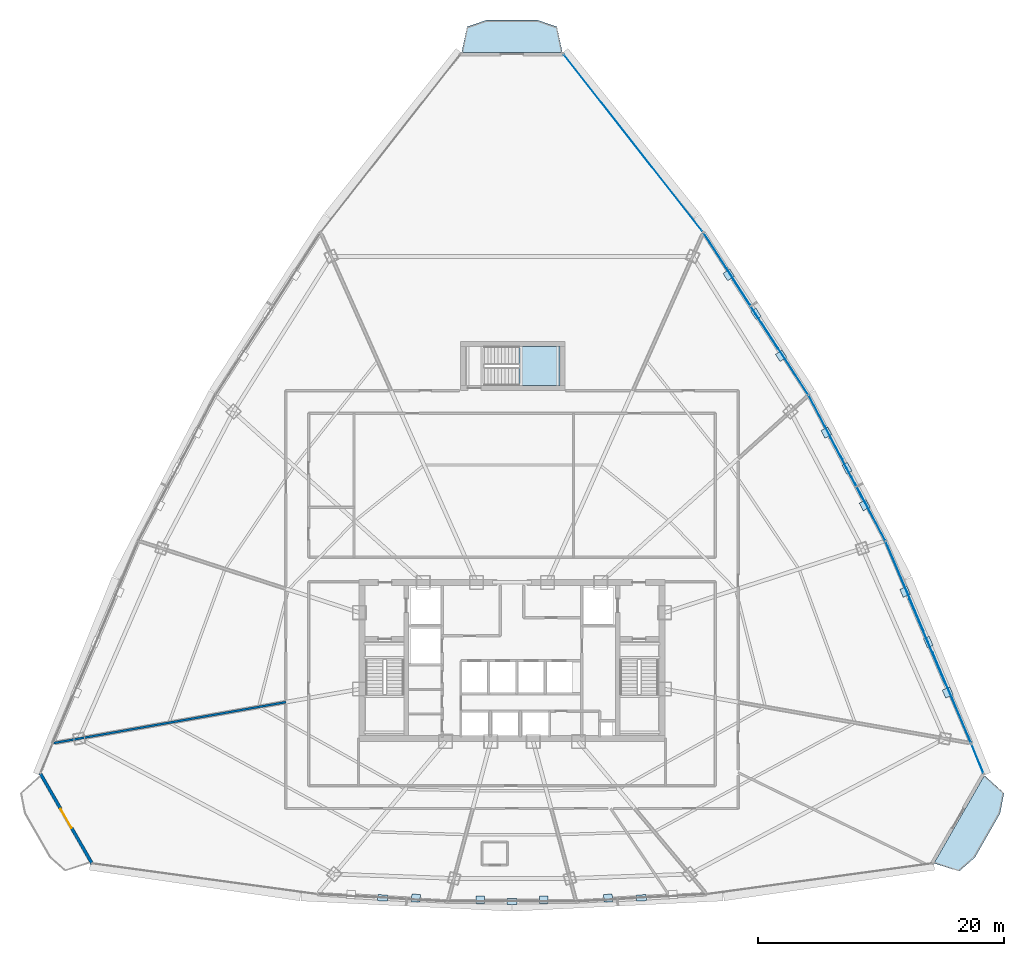
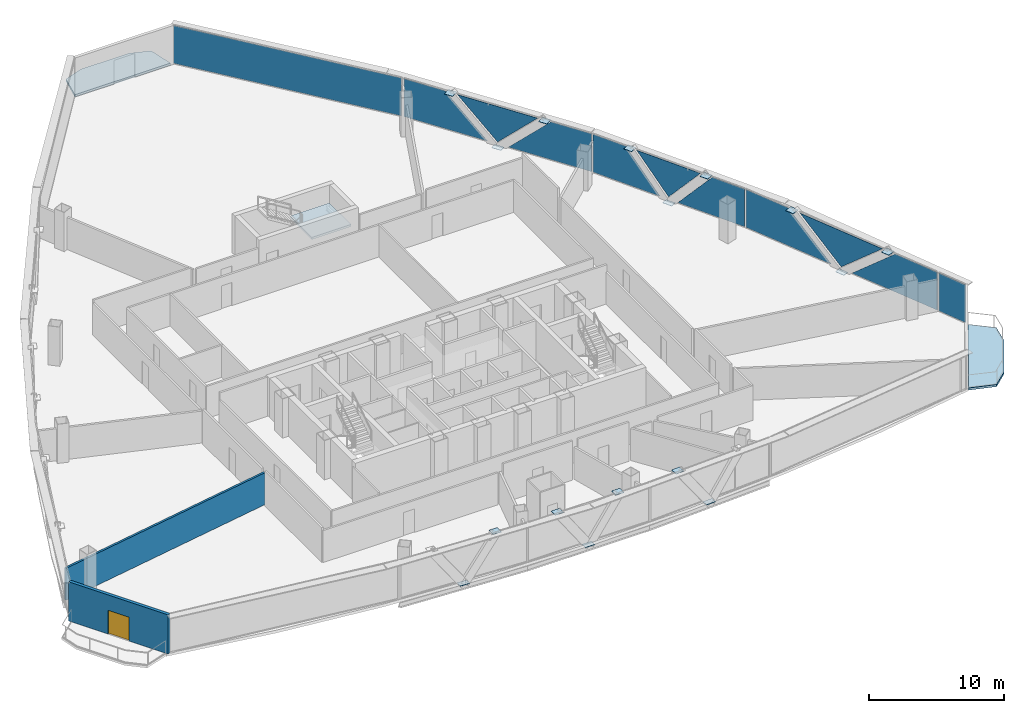
# One storey, part 29 of 37: 27 plates, 3 slabs, 2 walls, 1 door, 1 opening, 6 elements without a shape of their own.
"""IFC4 building model written with IfcOpenShell, lengths in metres."""

from ifc_helpers import new_model, si_unit, direction, frame, frame_2d, origin, origin_with_axes, origin_2d, place, context, subcontext, project, spatial, polyline, rectangle, outline, extrude, source, transform, mapped, material, layer, layer_set, type_object, element, fill, aggregate, save


model = new_model("IFC4")

# Units and contexts
model_context = context("Model", 3, precision=1e-05, world=origin(), true_north=direction((0.0, 1.0)))
body_context = subcontext(model_context, "Body", "Model", "MODEL_VIEW")
ifc_project = project(units=[si_unit("LENGTHUNIT", "METRE"), si_unit("AREAUNIT", "SQUARE_METRE"), si_unit("VOLUMEUNIT", "CUBIC_METRE"), si_unit("PLANEANGLEUNIT", "RADIAN"), si_unit("MASSUNIT", "GRAM", prefix="KILO"), si_unit("THERMODYNAMICTEMPERATUREUNIT", "KELVIN"), si_unit("POWERUNIT", "WATT")], contexts=[model_context])

# Site, building, storey
site_placement = place(None, origin())
site = spatial("IfcSite", under=ifc_project, at=site_placement, CompositionType="ELEMENT")
building_placement = place(site_placement, origin())
building = spatial("IfcBuilding", under=site, at=building_placement, Name="Yunzhuo Pagoda Commons", CompositionType="ELEMENT")
storey_placement = place(building_placement, frame((0.0, 0.0, 199.9599609375)))
storey = spatial("IfcBuildingStorey", under=building, at=storey_placement, Name="L50", CompositionType="ELEMENT", Elevation=199.9599609375)

# Curtain wall, plates
ifc_material_1 = material(Name="Anodized aluminium 6063-T6", Category="aluminium")
ifc_layer_1 = layer(ifc_material_1, 0.14990234375)
ifc_layer_set_1 = layer_set([ifc_layer_1], Name="Anodized aluminium 6063-T6")
curtain_wall_type = type_object("IfcCurtainWallType", Name="CW-MID Mid-Zone Ribbon Curtain Wall", PredefinedType="NOTDEFINED", material=ifc_layer_set_1)
curtain_wall_1_placement = place(storey_placement, origin())
curtain_wall_1 = element("IfcCurtainWall", 1, at=curtain_wall_1_placement, inside=storey, type_object=curtain_wall_type, Name="L50 curtain wall CW-L50-F2B2", PredefinedType="NOTDEFINED")
ifc_material_2 = material(Name="Tempered low-e double glazing", Category="glass")
ifc_layer_2 = layer(ifc_material_2, 0.028076171875)
ifc_layer_set_2 = layer_set([ifc_layer_2], Name="Tempered low-e double glazing")
plate_type_1 = type_object("IfcPlateType", Name="CW-MID-P Low-E Double Glazing 28", PredefinedType="CURTAIN_PANEL", material=ifc_layer_set_2)
plate_1_placement = place(storey_placement, frame((83.771240234375, 30.809326171875, 1.77001953125), z_axis=(0.920666607247, 0.390349840912, 0.0), x_axis=(-0.390349840912, 0.920666607247, 0.0)))
plate_1 = element("IfcPlate", 2, at=plate_1_placement, type_object=plate_type_1, Name="CW panel 1.1 lite 1", PredefinedType="CURTAIN_PANEL", context=body_context, shape_type="SweptSolid", body=[
    extrude(outline(polyline([(-3.9599609375, -1.715087890625), (3.960205078125, -1.715087890625), (-0.0732421875, 1.715087890625), (-3.9599609375, 1.715087890625), (-3.9599609375, -1.715087890625)])), origin(), (0.0, 0.0, 1.0), 0.028076171875),
])
plate_2_placement = place(storey_placement, frame((81.82421875, 35.32470703125, 1.862060546875), z_axis=(0.920666607247, 0.390349840912, 0.0), x_axis=(-0.390349840912, 0.920666607247, 0.0)))
plate_2 = element("IfcPlate", 3, at=plate_2_placement, type_object=plate_type_1, Name="CW panel 1.1 lite 2", PredefinedType="CURTAIN_PANEL", context=body_context, shape_type="SweptSolid", body=[
    extrude(outline(polyline([(-3.8173828125, 1.623046875), (0.0, -1.623046875), (3.8173828125, 1.623046875), (-3.8173828125, 1.623046875)])), origin(), (0.0, 0.0, 1.0), 0.028076171875),
])
plate_3_placement = place(storey_placement, frame((79.932373046875, 39.86328125, 1.77001953125), z_axis=(0.920666607247, 0.390349840912, 0.0), x_axis=(-0.390349840912, 0.920666607247, 0.0)))
plate_3 = element("IfcPlate", 4, at=plate_3_placement, type_object=plate_type_1, Name="CW panel 1.1 lite 3", PredefinedType="CURTAIN_PANEL", context=body_context, shape_type="SweptSolid", body=[
    extrude(outline(polyline([(-3.960205078125, -1.715087890625), (3.9599609375, -1.715087890625), (3.9599609375, 1.715087890625), (0.073486328125, 1.715087890625), (-3.960205078125, -1.715087890625)])), origin(), (0.0, 0.0, 1.0), 0.028076171875),
])
aggregate(curtain_wall_1, [plate_1, plate_2, plate_3])

curtain_wall_2_placement = place(storey_placement, origin())
curtain_wall_2 = element("IfcCurtainWall", 5, at=curtain_wall_2_placement, inside=storey, type_object=curtain_wall_type, Name="L50 curtain wall CW-L50-F2B3", PredefinedType="NOTDEFINED")
plate_4_placement = place(storey_placement, frame((76.9697265625, 46.205810546875, 1.77001953125), z_axis=(0.884483826433, 0.466570852903, 0.0), x_axis=(-0.466570852903, 0.884483826433, 0.0)))
plate_4 = element("IfcPlate", 6, at=plate_4_placement, type_object=plate_type_1, Name="CW panel 1.1 lite 1", PredefinedType="CURTAIN_PANEL", context=body_context, shape_type="SweptSolid", body=[
    extrude(outline(polyline([(-2.927734375, -1.715087890625), (2.927734375, -1.715087890625), (-0.095947265625, 1.715087890625), (-2.927734375, 1.715087890625), (-2.927734375, -1.715087890625)])), origin(), (0.0, 0.0, 1.0), 0.028076171875),
])
plate_5_placement = place(storey_placement, frame((75.211181640625, 49.47509765625, 1.89990234375), z_axis=(0.884483826433, 0.466570852903, 0.0), x_axis=(-0.466570852903, 0.884483826433, 0.0)))
plate_5 = element("IfcPlate", 7, at=plate_5_placement, type_object=plate_type_1, Name="CW panel 1.1 lite 2", PredefinedType="CURTAIN_PANEL", context=body_context, shape_type="SweptSolid", body=[
    extrude(outline(polyline([(-2.794921875, 1.585205078125), (0.0, -1.585205078125), (2.794921875, 1.585205078125), (-2.794921875, 1.585205078125)])), origin(), (0.0, 0.0, 1.0), 0.028076171875),
])
plate_6_placement = place(storey_placement, frame((73.505859375, 52.772216796875, 1.77001953125), z_axis=(0.884483826433, 0.466570852903, 0.0), x_axis=(-0.466570852903, 0.884483826433, 0.0)))
plate_6 = element("IfcPlate", 8, at=plate_6_placement, type_object=plate_type_1, Name="CW panel 1.1 lite 3", PredefinedType="CURTAIN_PANEL", context=body_context, shape_type="SweptSolid", body=[
    extrude(outline(polyline([(-2.927734375, -1.715087890625), (2.927734375, -1.715087890625), (2.927734375, 1.715087890625), (0.095947265625, 1.715087890625), (-2.927734375, -1.715087890625)])), origin(), (0.0, 0.0, 1.0), 0.028076171875),
])
aggregate(curtain_wall_2, [plate_4, plate_5, plate_6])

curtain_wall_3_placement = place(storey_placement, origin())
curtain_wall_3 = element("IfcCurtainWall", 9, at=curtain_wall_3_placement, inside=storey, type_object=curtain_wall_type, Name="L50 curtain wall CW-L50-F2B4", PredefinedType="NOTDEFINED")
plate_7_placement = place(storey_placement, frame((70.19384765625, 58.3818359375, 1.77001953125), z_axis=(0.839794048542, 0.542905107761, 0.0), x_axis=(-0.542905107761, 0.839794048542, 0.0)))
plate_7 = element("IfcPlate", 10, at=plate_7_placement, type_object=plate_type_1, Name="CW panel 1.1 lite 1", PredefinedType="CURTAIN_PANEL", context=body_context, shape_type="SweptSolid", body=[
    extrude(outline(polyline([(-3.47412109375, -1.715087890625), (3.47412109375, -1.715087890625), (-0.083251953125, 1.715087890625), (-3.47412109375, 1.715087890625), (-3.47412109375, -1.715087890625)])), origin(), (0.0, 0.0, 1.0), 0.028076171875),
])
plate_8_placement = place(storey_placement, frame((67.807861328125, 62.017333984375, 1.87646484375), z_axis=(0.839794048542, 0.542905107761, 0.0), x_axis=(-0.542905107761, 0.839794048542, 0.0)))
plate_8 = element("IfcPlate", 11, at=plate_8_placement, type_object=plate_type_1, Name="CW panel 1.1 lite 2", PredefinedType="CURTAIN_PANEL", context=body_context, shape_type="SweptSolid", body=[
    extrude(outline(polyline([(-3.336669921875, 1.6083984375), (0.0, -1.608642578125), (3.336669921875, 1.6083984375), (-3.336669921875, 1.6083984375)])), origin(), (0.0, 0.0, 1.0), 0.028076171875),
])
plate_9_placement = place(storey_placement, frame((65.472412109375, 65.685302734375, 1.77001953125), z_axis=(0.839794048542, 0.542905107761, 0.0), x_axis=(-0.542905107761, 0.839794048542, 0.0)))
plate_9 = element("IfcPlate", 12, at=plate_9_placement, type_object=plate_type_1, Name="CW panel 1.1 lite 3", PredefinedType="CURTAIN_PANEL", context=body_context, shape_type="SweptSolid", body=[
    extrude(outline(polyline([(-3.47412109375, -1.715087890625), (3.47412109375, -1.715087890625), (3.47412109375, 1.715087890625), (0.083251953125, 1.715087890625), (-3.47412109375, -1.715087890625)])), origin(), (0.0, 0.0, 1.0), 0.028076171875),
])
aggregate(curtain_wall_3, [plate_7, plate_8, plate_9])

# Slabs
ifc_material_3 = material(Name="Concrete C40", Category="concrete")
ifc_layer_3 = layer(ifc_material_3, 0.199951171875)
ifc_layer_set_3 = layer_set([ifc_layer_3], Name="Concrete C40")
slab_type_1 = type_object("IfcSlabType", Name="SL-BAL Vertex Balcony Deck Slab 200", PredefinedType="FLOOR", material=ifc_layer_set_3)
slab_1_placement = place(storey_placement, frame((0.0, 0.0, -0.199951171875)))
element("IfcSlab", 13, at=slab_1_placement, inside=storey, type_object=slab_type_1, Name="L50 corner balcony V2", PredefinedType="FLOOR", context=body_context, shape_type="SweptSolid", body=[
    extrude(outline(polyline([(82.33154296875, 17.347900390625), (86.431640625, 24.48876953125), (88.0244140625, 23.055419921875), (87.700439453125, 21.386474609375), (85.650390625, 17.81591796875), (84.37255859375, 16.69482421875), (82.33154296875, 17.347900390625)])), origin(), (0.0, 0.0, 1.0), 0.199951171875),
])
slab_2_placement = place(storey_placement, frame((0.0, 0.0, -0.199951171875)))
element("IfcSlab", 14, at=slab_2_placement, inside=storey, type_object=slab_type_1, Name="L50 corner balcony V3", PredefinedType="FLOOR", context=body_context, shape_type="SweptSolid", body=[
    extrude(outline(polyline([(52.10009765625, 83.302490234375), (43.89990234375, 83.302490234375), (44.349853515625, 85.3974609375), (45.949951171875, 85.947509765625), (50.050048828125, 85.947509765625), (51.650146484375, 85.3974609375), (52.10009765625, 83.302490234375)])), origin(), (0.0, 0.0, 1.0), 0.199951171875),
])

# Stair, slab
stair_type = type_object("IfcStairType", Name="ST-C3 North Tower Smokeproof Stair ST3", PredefinedType="HALF_TURN_STAIR", material=ifc_material_3)
stair_placement = place(storey_placement, origin())
stair = element("IfcStair", 15, at=stair_placement, inside=storey, type_object=stair_type, Name="L50 North tower smokeproof stair ST3", PredefinedType="HALF_TURN_STAIR")
ifc_layer_4 = layer(ifc_material_3, 0.2041015625)
ifc_layer_set_4 = layer_set([ifc_layer_4], Name="Concrete C40")
slab_type_2 = type_object("IfcSlabType", Name="SL-LND5 North Landing Slab 204", PredefinedType="LANDING", material=ifc_layer_set_4)
slab_3_placement = place(storey_placement, frame((0.0, 0.0, 1.699951171875)))
slab_3 = element("IfcSlab", 16, at=slab_3_placement, type_object=slab_type_2, Name="ST3 landing 1", PredefinedType="LANDING", context=body_context, shape_type="SweptSolid", body=[
    extrude(outline(polyline([(48.550048828125, 56.199951171875), (51.89990234375, 56.199951171875), (51.89990234375, 59.39990234375), (48.550048828125, 59.39990234375), (48.550048828125, 56.199951171875)])), origin(), (0.0, 0.0, 1.0), 0.2001953125),
])
aggregate(stair, [slab_3])

# Plates
ifc_material_4 = material(Name="Structural steel Q355B", Category="steel")
ifc_layer_5 = layer(ifc_material_4, 0.028076171875)
ifc_layer_set_5 = layer_set([ifc_layer_5], Name="Structural steel Q355B")
plate_type_2 = type_object("IfcPlateType", Name="SP-ND1 Lattice Node Cap Plate 800x500x28", PredefinedType="USERDEFINED", material=ifc_layer_set_5)
shared_shape_1 = source(origin(), body_context, "Body", "SweptSolid", [
    extrude(rectangle(XDim=0.800048828125, YDim=0.5, at=origin_2d()), origin(), (0.0, 0.0, 1.0), 0.028076171875),
])
for number, where, z_axis, x_axis, name in (
    (17, (37.474609375, 14.53125, -0.27392578125), (0.0, 0.0, 1.0), (0.998431983443, -0.055978339012, 0.0), "L50 diamond node plate F1.1A"),
    (18, (48.0, 14.233642578125, -0.27392578125), (0.0, 0.0, 1.0), (1.0, 0.0, 0.0), "L50 diamond node plate F1.2A"),
    (19, (58.525390625, 14.53125, -0.27392578125), (0.0, 0.0, 1.0), (0.998431983443, 0.055978339012, 0.0), "L50 diamond node plate F1.3A"),
    (20, (81.86474609375, 35.341796875, -0.27392578125), (0.0, 0.0, 1.0), (-0.39034551405, 0.920668441764, 0.0), "L50 diamond node plate F2.1A"),
    (21, (75.250244140625, 49.49560546875, -0.27392578125), (0.0, 0.0, 1.0), (-0.466571896316, 0.884483276025, 0.0), "L50 diamond node plate F2.2A"),
    (22, (67.844970703125, 62.041259765625, -0.27392578125), (0.0, 0.0, 1.0), (-0.542910648791, 0.839790466384, 0.0), "L50 diamond node plate F2.3A"),
):
    element("IfcPlate", number, at=place(storey_placement, frame(where, z_axis=z_axis, x_axis=x_axis)), inside=storey, type_object=plate_type_2, Name=name, ObjectType="STIFFENER_PLATE", PredefinedType="USERDEFINED", context=body_context, shape_type="MappedRepresentation", body=[
        mapped(shared_shape_1, transform((0.0, 0.0, 0.0), scale=1.0)),
    ])
shared_shape_2 = source(origin(), body_context, "Body", "SweptSolid", [
    extrude(rectangle(XDim=0.699951171875, YDim=0.631591796875, at=origin_2d()), origin(), (0.0, 0.0, 1.0), 0.035888671875),
])
for number, where, z_axis, x_axis, name in (
    (23, (40.182373046875, 14.5126953125, 3.501953125), (0.0, 0.0, 1.0), (0.998431983443, -0.055978339012, 0.0), "L50 setback lattice tie plate F1.1R"),
    (24, (55.817626953125, 14.5126953125, 3.501953125), (0.0, 0.0, 1.0), (0.998431983443, 0.055978339012, 0.0), "L50 setback lattice tie plate F1.3L"),
):
    element("IfcPlate", number, at=place(storey_placement, frame(where, z_axis=z_axis, x_axis=x_axis)), inside=storey, type_object=plate_type_2, Name=name, ObjectType="STIFFENER_PLATE", PredefinedType="USERDEFINED", context=body_context, shape_type="MappedRepresentation", body=[
        mapped(shared_shape_2, transform((0.0, 0.0, 0.0), scale=1.0)),
    ])
shared_shape_3 = source(origin(), body_context, "Body", "SweptSolid", [
    extrude(rectangle(XDim=0.699951171875, YDim=0.615478515625, at=origin_2d()), origin(), (0.0, 0.0, 1.0), 0.035888671875),
])
for number, where, z_axis, x_axis, name in (
    (25, (45.40966796875, 14.365234375, 3.501953125), (0.0, 0.0, 1.0), (1.0, 0.0, 0.0), "L50 setback lattice tie plate F1.2L"),
    (26, (50.59033203125, 14.365234375, 3.501953125), (0.0, 0.0, 1.0), (1.0, 0.0, 0.0), "L50 setback lattice tie plate F1.2R"),
):
    element("IfcPlate", number, at=place(storey_placement, frame(where, z_axis=z_axis, x_axis=x_axis)), inside=storey, type_object=plate_type_2, Name=name, ObjectType="STIFFENER_PLATE", PredefinedType="USERDEFINED", context=body_context, shape_type="MappedRepresentation", body=[
        mapped(shared_shape_3, transform((0.0, 0.0, 0.0), scale=1.0)),
    ])
shared_shape_4 = source(origin(), body_context, "Body", "SweptSolid", [
    extrude(rectangle(XDim=0.699951171875, YDim=0.672119140625, at=origin_2d()), origin(), (0.0, 0.0, 1.0), 0.035888671875),
])
plate_10_placement = place(storey_placement, frame((83.448486328125, 31.2392578125, 3.501953125), z_axis=(0.0, 0.0, 1.0), x_axis=(-0.39034551405, 0.920668441764, 0.0)))
element("IfcPlate", 27, at=plate_10_placement, inside=storey, type_object=plate_type_2, Name="L50 setback lattice tie plate F2.1L", ObjectType="STIFFENER_PLATE", PredefinedType="USERDEFINED", context=body_context, shape_type="MappedRepresentation", body=[
    mapped(shared_shape_4, transform((0.0, 0.0, 0.0), scale=1.0)),
])
shared_shape_5 = source(origin(), body_context, "Body", "SweptSolid", [
    extrude(rectangle(XDim=0.699951171875, YDim=0.640869140625, at=origin_2d()), origin(), (0.0, 0.0, 1.0), 0.035888671875),
])
plate_11_placement = place(storey_placement, frame((79.977294921875, 39.430419921875, 3.501953125), z_axis=(0.0, 0.0, 1.0), x_axis=(-0.39034551405, 0.920668441764, 0.0)))
element("IfcPlate", 28, at=plate_11_placement, inside=storey, type_object=plate_type_2, Name="L50 setback lattice tie plate F2.1R", ObjectType="STIFFENER_PLATE", PredefinedType="USERDEFINED", context=body_context, shape_type="MappedRepresentation", body=[
    mapped(shared_shape_5, transform((0.0, 0.0, 0.0), scale=1.0)),
])
shared_shape_6 = source(origin(), body_context, "Body", "SweptSolid", [
    extrude(rectangle(XDim=0.699951171875, YDim=0.62841796875, at=origin_2d()), origin(), (0.0, 0.0, 1.0), 0.035888671875),
])
plate_12_placement = place(storey_placement, frame((76.68603515625, 46.476318359375, 3.501953125), z_axis=(0.0, 0.0, 1.0), x_axis=(-0.466571896316, 0.884483276025, 0.0)))
element("IfcPlate", 29, at=plate_12_placement, inside=storey, type_object=plate_type_2, Name="L50 setback lattice tie plate F2.2L", ObjectType="STIFFENER_PLATE", PredefinedType="USERDEFINED", context=body_context, shape_type="MappedRepresentation", body=[
    mapped(shared_shape_6, transform((0.0, 0.0, 0.0), scale=1.0)),
])
shared_shape_7 = source(origin(), body_context, "Body", "SweptSolid", [
    extrude(rectangle(XDim=0.699951171875, YDim=0.629150390625, at=origin_2d()), origin(), (0.0, 0.0, 1.0), 0.035888671875),
])
plate_13_placement = place(storey_placement, frame((73.574462890625, 52.37646484375, 3.501953125), z_axis=(0.0, 0.0, 1.0), x_axis=(-0.466571896316, 0.884483276025, 0.0)))
element("IfcPlate", 30, at=plate_13_placement, inside=storey, type_object=plate_type_2, Name="L50 setback lattice tie plate F2.2R", ObjectType="STIFFENER_PLATE", PredefinedType="USERDEFINED", context=body_context, shape_type="MappedRepresentation", body=[
    mapped(shared_shape_7, transform((0.0, 0.0, 0.0), scale=1.0)),
])
shared_shape_8 = source(origin(), body_context, "Body", "SweptSolid", [
    extrude(rectangle(XDim=0.699951171875, YDim=0.64013671875, at=origin_2d()), origin(), (0.0, 0.0, 1.0), 0.035888671875),
])
plate_14_placement = place(storey_placement, frame((69.888671875, 58.62255859375, 3.501953125), z_axis=(0.0, 0.0, 1.0), x_axis=(-0.542910648791, 0.839790466384, 0.0)))
element("IfcPlate", 31, at=plate_14_placement, inside=storey, type_object=plate_type_2, Name="L50 setback lattice tie plate F2.3L", ObjectType="STIFFENER_PLATE", PredefinedType="USERDEFINED", context=body_context, shape_type="MappedRepresentation", body=[
    mapped(shared_shape_8, transform((0.0, 0.0, 0.0), scale=1.0)),
])
shared_shape_9 = source(origin(), body_context, "Body", "SweptSolid", [
    extrude(rectangle(XDim=0.699951171875, YDim=0.6630859375, at=origin_2d()), origin(), (0.0, 0.0, 1.0), 0.035888671875),
])
plate_15_placement = place(storey_placement, frame((65.628662109375, 65.214599609375, 3.501953125), z_axis=(0.0, 0.0, 1.0), x_axis=(-0.542910648791, 0.839790466384, 0.0)))
element("IfcPlate", 32, at=plate_15_placement, inside=storey, type_object=plate_type_2, Name="L50 setback lattice tie plate F2.3R", ObjectType="STIFFENER_PLATE", PredefinedType="USERDEFINED", context=body_context, shape_type="MappedRepresentation", body=[
    mapped(shared_shape_9, transform((0.0, 0.0, 0.0), scale=1.0)),
])

# Curtain wall, plate
curtain_wall_4_placement = place(storey_placement, origin())
curtain_wall_4 = element("IfcCurtainWall", 33, at=curtain_wall_4_placement, inside=storey, type_object=curtain_wall_type, Name="L50 curtain wall CW-L50-F2B1", PredefinedType="NOTDEFINED")
shared_shape_10 = source(origin(), body_context, "Body", "SweptSolid", [
    extrude(rectangle(XDim=2.477783203125, YDim=0.028076171875, at=origin_2d()), origin(), (0.0, 0.0, 1.0), 3.429931640625),
])
plate_16_placement = place(storey_placement, frame((85.871826171875, 25.84130859375, 0.05517578125), z_axis=(0.0, 0.0, 1.0), x_axis=(-0.377349463967, 0.926070937911, 0.0)))
plate_16 = element("IfcPlate", 34, at=plate_16_placement, type_object=plate_type_1, Name="CW panel 1.1", PredefinedType="CURTAIN_PANEL", context=body_context, shape_type="MappedRepresentation", body=[
    mapped(shared_shape_10, transform((0.0, 0.0, 0.0), scale=1.0)),
])
aggregate(curtain_wall_4, [plate_16])

curtain_wall_5_placement = place(storey_placement, origin())
curtain_wall_5 = element("IfcCurtainWall", 35, at=curtain_wall_5_placement, inside=storey, type_object=curtain_wall_type, Name="L50 curtain wall CW-L50-F2B5", PredefinedType="NOTDEFINED")
shared_shape_11 = source(origin(), body_context, "Body", "SweptSolid", [
    extrude(rectangle(XDim=18.23681640625, YDim=0.028076171875, at=origin_2d()), origin(), (0.0, 0.0, 1.0), 3.429931640625),
])
plate_17_placement = place(storey_placement, frame((57.857177734375, 75.943603515625, 0.05517578125), z_axis=(0.0, 0.0, 1.0), x_axis=(-0.616889324316, 0.787049910454, 0.0)))
plate_17 = element("IfcPlate", 36, at=plate_17_placement, type_object=plate_type_1, Name="CW panel 1.1", PredefinedType="CURTAIN_PANEL", context=body_context, shape_type="MappedRepresentation", body=[
    mapped(shared_shape_11, transform((0.0, 0.0, 0.0), scale=1.0)),
])
aggregate(curtain_wall_5, [plate_17])

# Wall, opening, door
ifc_material_5 = material(Name="Precast concrete C40", Category="concrete")
ifc_layer_6 = layer(ifc_material_5, 0.260009765625)
ifc_layer_set_6 = layer_set([ifc_layer_6], Name="Precast concrete C40")
wall_type_1 = type_object("IfcWallType", Name="W-BAL1 Corner Balcony Threshold Wall 260", PredefinedType="STANDARD", material=ifc_layer_set_6)
wall_1_placement = place(storey_placement, frame((9.610595703125, 24.68603515625, 0.0), z_axis=(0.0, 0.0, 1.0), x_axis=(0.497930869929, -0.867216725376, 0.0)))
wall_1 = element("IfcWall", 37, at=wall_1_placement, inside=storey, type_object=wall_type_1, Name="L50 corner balcony wall V1", PredefinedType="STANDARD", context=body_context, shape_type="SweptSolid", body=[
    extrude(rectangle(XDim=8.534423828125, YDim=0.260009765625, at=frame_2d((4.26708984375, 0.0))), origin(), (0.0, 0.0, 1.0), 3.5400390625),
])
opening_placement = place(wall_1_placement, frame((3.3671875, 0.0, 0.0)))
opening = element("IfcOpeningElement", 38, at=opening_placement, cuts=wall_1, Name="Opening D-BAL1", PredefinedType="OPENING", context=body_context, shape_type="SweptSolid", body=[
    extrude(rectangle(XDim=1.800048828125, YDim=2.14990234375, at=frame_2d((0.89990234375, 1.074951171875))), frame((0.0, 0.14013671875, 0.0), z_axis=(0.0, -1.0, 0.0), x_axis=(1.0, 0.0, 0.0)), (0.0, 0.0, 1.0), 0.280029296875),
])
ifc_material_6 = material(Name="Anodized aluminium frame and tempered glazed leaf", Category="aluminium")
door_type = type_object("IfcDoorType", Name="D-BAL1 Corner Balcony Sliding Glazed Door 1800x2150", OperationType="DOUBLE_DOOR_SLIDING", PredefinedType="DOOR", material=ifc_material_6)
shared_shape_12 = source(origin(), body_context, "Body", "SweptSolid", [
    extrude(rectangle(XDim=1.800048828125, YDim=2.14990234375, at=frame_2d((0.89990234375, 1.074951171875))), frame((0.0, 0.02490234375, 0.0), z_axis=(0.0, -1.0, 0.0), x_axis=(1.0, 0.0, 0.0)), (0.0, 0.0, 1.0), 0.050048828125),
])
door_placement = place(opening_placement, origin_with_axes())
door = element("IfcDoor", 39, at=door_placement, inside=storey, type_object=door_type, Name="L50 corner balcony sliding door V1", OperationType="DOUBLE_DOOR_SLIDING", OverallHeight=2.14990234375, OverallWidth=1.800048828125, PredefinedType="DOOR", context=body_context, shape_type="MappedRepresentation", body=[
    mapped(shared_shape_12, transform((0.0, 0.0, 0.0), scale=1.0)),
])
fill(opening, door)

# Wall
ifc_material_7 = material(Name="Gypsum plasterboard on acoustic stud")
ifc_layer_7 = layer(ifc_material_7, 0.175048828125)
ifc_layer_set_7 = layer_set([ifc_layer_7], Name="Gypsum plasterboard on acoustic stud")
wall_type_2 = type_object("IfcWallType", Name="W-PRT3 Mid-Zone Demising Wall 175", PredefinedType="PARTITIONING", material=ifc_layer_set_7)
wall_2_placement = place(storey_placement, frame((29.60009765625, 30.45556640625, 0.0), z_axis=(0.0, 0.0, 1.0), x_axis=(-0.984807685374, -0.173648561263, 0.0)))
element("IfcWall", 40, at=wall_2_placement, inside=storey, type_object=wall_type_2, Name="L50 interior wall IW-L50-RAD05", PredefinedType="PARTITIONING", context=body_context, shape_type="SweptSolid", body=[
    extrude(rectangle(XDim=19.24609375, YDim=0.175048828125, at=frame_2d((9.623046875, 0.0))), origin(), (0.0, 0.0, 1.0), 2.89013671875),
])

save(model, "model.ifc")
